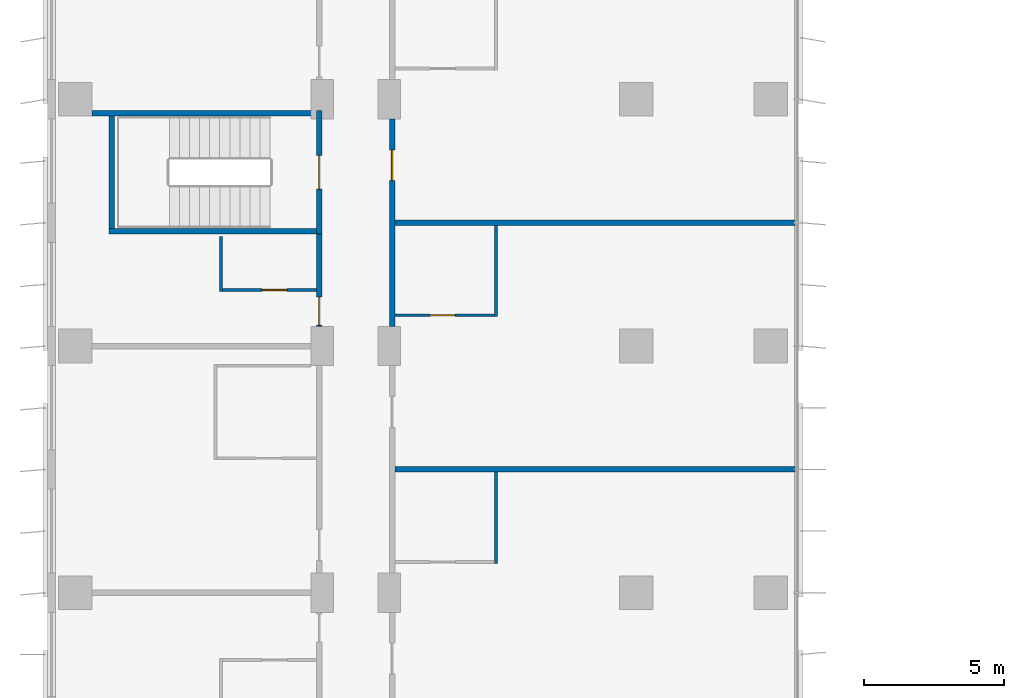
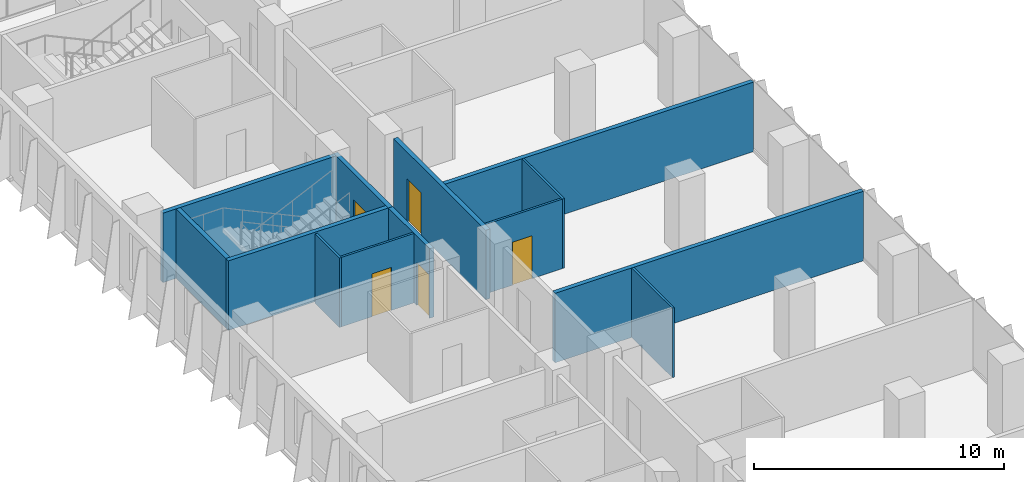
# One storey, part 19 of 27: 13 walls, 5 doors, 5 openings.
"""IFC4 building model written with IfcOpenShell, lengths in metres."""

from ifc_helpers import new_model, si_unit, direction, frame, frame_2d, origin, place, context, subcontext, project, spatial, rectangle, extrude, material, layer, layer_set, type_object, element, fill, save


model = new_model("IFC4")

# Units and contexts
model_context = context("Model", 3, precision=1e-05, world=origin(), true_north=direction((0.0, 1.0)))
body_context = subcontext(model_context, "Body", "Model", "MODEL_VIEW")
ifc_project = project(units=[si_unit("LENGTHUNIT", "METRE"), si_unit("AREAUNIT", "SQUARE_METRE"), si_unit("VOLUMEUNIT", "CUBIC_METRE"), si_unit("PLANEANGLEUNIT", "RADIAN"), si_unit("MASSUNIT", "GRAM", prefix="KILO")], contexts=[model_context])

# Site, building, storey
site_placement = place(None, origin())
site = spatial("IfcSite", under=ifc_project, at=site_placement, CompositionType="ELEMENT")
building_placement = place(site_placement, origin())
building = spatial("IfcBuilding", under=site, at=building_placement, Name="Kemantara Hotel Tower", CompositionType="ELEMENT")
storey_placement = place(building_placement, frame((0.0, 0.0, 83.39990234375)))
storey = spatial("IfcBuildingStorey", under=building, at=storey_placement, Name="L19", CompositionType="ELEMENT", Elevation=83.39990234375)

# Wall, opening, door
ifc_material_1 = material(Name="Gypsum board partition, steel studs and mineral wool, 200 mm", Category="steel")
ifc_layer_1 = layer(ifc_material_1, 0.199951171875)
ifc_layer_set_1 = layer_set([ifc_layer_1], Name="Gypsum board partition, steel studs and mineral wool, 200 mm")
wall_type_1 = type_object("IfcWallType", Name="CORRIDOR WALL 200", PredefinedType="PARTITIONING", material=ifc_layer_set_1)
wall_1_placement = place(storey_placement, frame((9.699951171875, 54.5, 0.0), z_axis=(0.0, 0.0, 1.0), x_axis=(0.0, 1.0, 0.0)))
wall_1 = element("IfcWall", 1, at=wall_1_placement, inside=storey, type_object=wall_type_1, Name="CORRIDOR WALL 200 020", PredefinedType="PARTITIONING", context=body_context, shape_type="SweptSolid", body=[
    extrude(rectangle(XDim=3.300048828125, YDim=0.199951171875, at=frame_2d((1.64990234375, 0.0))), origin(), (0.0, 0.0, 1.0), 3.400146484375),
])
opening_1_placement = place(wall_1_placement, frame((0.0498046875, 0.0, 0.0)))
opening_1 = element("IfcOpeningElement", 2, at=opening_1_placement, cuts=wall_1, Name="Opening F07-027", PredefinedType="OPENING", context=body_context, shape_type="SweptSolid", body=[
    extrude(rectangle(XDim=1.0, YDim=2.10009765625, at=frame_2d((0.5, 1.050048828125))), frame((0.0, 0.10986328125, 0.0), z_axis=(0.0, -1.0, 0.0), x_axis=(1.0, 0.0, 0.0)), (0.0, 0.0, 1.0), 0.219970703125),
])
ifc_material_2 = material(Name="Hardwood veneer door leaf with steel frame", Category="steel")
door_type_1 = type_object("IfcDoorType", Name="GUEST ROOM DOOR 1000 X 2100 FD30S", OperationType="NOTDEFINED", PredefinedType="DOOR", material=ifc_material_2)
door_1_placement = place(opening_1_placement, origin())
door_1 = element("IfcDoor", 3, at=door_1_placement, inside=storey, type_object=door_type_1, Name="GUEST ROOM DOOR F07-027", OperationType="SINGLE_SWING_LEFT", OverallHeight=2.10009765625, OverallWidth=1.0, PredefinedType="DOOR", context=body_context, shape_type="SweptSolid", body=[
    extrude(rectangle(XDim=1.0, YDim=2.10009765625, at=frame_2d((0.5, 1.050048828125))), frame((0.0, 0.02490234375, 0.0), z_axis=(0.0, -1.0, 0.0), x_axis=(1.0, 0.0, 0.0)), (0.0, 0.0, 1.0), 0.050048828125),
])
fill(opening_1, door_1)

wall_2_placement = place(storey_placement, frame((12.300048828125, 61.89990234375, 0.0), z_axis=(0.0, 0.0, 1.0), x_axis=(0.0, -1.0, 0.0)))
wall_2 = element("IfcWall", 4, at=wall_2_placement, inside=storey, type_object=wall_type_1, Name="CORRIDOR WALL 200 035", PredefinedType="PARTITIONING", context=body_context, shape_type="SweptSolid", body=[
    extrude(rectangle(XDim=7.39990234375, YDim=0.199951171875, at=frame_2d((3.699951171875, 0.0))), origin(), (0.0, 0.0, 1.0), 3.400146484375),
])
opening_2_placement = place(wall_2_placement, frame((1.099853515625, 0.0, 0.0)))
opening_2 = element("IfcOpeningElement", 5, at=opening_2_placement, cuts=wall_2, Name="Opening F07-041", PredefinedType="OPENING", context=body_context, shape_type="SweptSolid", body=[
    extrude(rectangle(XDim=1.10009765625, YDim=2.10009765625, at=frame_2d((0.550048828125, 1.050048828125))), frame((0.0, 0.10986328125, 0.0), z_axis=(0.0, -1.0, 0.0), x_axis=(1.0, 0.0, 0.0)), (0.0, 0.0, 1.0), 0.219970703125),
])
door_type_2 = type_object("IfcDoorType", Name="SUITE ENTRANCE DOOR 1100 X 2100 FD30S", OperationType="NOTDEFINED", PredefinedType="DOOR", material=ifc_material_2)
door_2_placement = place(opening_2_placement, origin())
door_2 = element("IfcDoor", 6, at=door_2_placement, inside=storey, type_object=door_type_2, Name="SUITE ENTRANCE DOOR F07-041", OperationType="SINGLE_SWING_RIGHT", OverallHeight=2.10009765625, OverallWidth=1.10009765625, PredefinedType="DOOR", context=body_context, shape_type="SweptSolid", body=[
    extrude(rectangle(XDim=1.10009765625, YDim=2.10009765625, at=frame_2d((0.550048828125, 1.050048828125))), frame((0.0, 0.02490234375, 0.0), z_axis=(0.0, -1.0, 0.0), x_axis=(1.0, 0.0, 0.0)), (0.0, 0.0, 1.0), 0.050048828125),
])
fill(opening_2, door_2)

ifc_material_3 = material(Name="Concrete fc 40 MPa", Category="concrete")
ifc_layer_2 = layer(ifc_material_3, 0.199951171875)
ifc_layer_set_2 = layer_set([ifc_layer_2], Name="Concrete fc 40 MPa")
wall_type_2 = type_object("IfcWallType", Name="Concrete stair wall 200 mm", PredefinedType="SHEAR", material=ifc_layer_set_2)
wall_3_placement = place(storey_placement, frame((9.699951171875, 57.800048828125, 0.0), z_axis=(0.0, 0.0, 1.0), x_axis=(0.0, 1.0, 0.0)))
wall_3 = element("IfcWall", 7, at=wall_3_placement, inside=storey, type_object=wall_type_2, Name="Stair ST4 enclosure wall with door", PredefinedType="SHEAR", context=body_context, shape_type="SweptSolid", body=[
    extrude(rectangle(XDim=4.39990234375, YDim=0.199951171875, at=frame_2d((2.199951171875, 0.0))), origin(), (0.0, 0.0, 1.0), 3.400146484375),
])
opening_3_placement = place(wall_3_placement, frame((1.60009765625, 0.0, 0.0)))
opening_3 = element("IfcOpeningElement", 8, at=opening_3_placement, cuts=wall_3, Name="Opening ST4-C", PredefinedType="OPENING", context=body_context, shape_type="SweptSolid", body=[
    extrude(rectangle(XDim=1.199951171875, YDim=2.10009765625, at=frame_2d((0.60009765625, 1.050048828125))), frame((0.0, 0.10986328125, 0.0), z_axis=(0.0, -1.0, 0.0), x_axis=(1.0, 0.0, 0.0)), (0.0, 0.0, 1.0), 0.219970703125),
])
ifc_material_4 = material(Name="Steel fire door", Category="steel")
door_type_3 = type_object("IfcDoorType", Name="Fire door FD90 1200 x 2100", OperationType="NOTDEFINED", PredefinedType="DOOR", material=ifc_material_4)
door_3_placement = place(opening_3_placement, origin())
door_3 = element("IfcDoor", 9, at=door_3_placement, inside=storey, type_object=door_type_3, Name="Stair ST4 door", OperationType="SINGLE_SWING_RIGHT", OverallHeight=2.10009765625, OverallWidth=1.199951171875, PredefinedType="DOOR", context=body_context, shape_type="SweptSolid", body=[
    extrude(rectangle(XDim=1.199951171875, YDim=2.10009765625, at=frame_2d((0.60009765625, 1.050048828125))), frame((0.0, 0.02490234375, 0.0), z_axis=(0.0, -1.0, 0.0), x_axis=(1.0, 0.0, 0.0)), (0.0, 0.0, 1.0), 0.050048828125),
])
fill(opening_3, door_3)

# Walls
wall_4_placement = place(storey_placement, frame((1.60009765625, 62.10009765625, 0.0), z_axis=(0.0, 0.0, 1.0), x_axis=(1.0, 0.0, 0.0)))
element("IfcWall", 10, at=wall_4_placement, inside=storey, type_object=wall_type_2, Name="Stair ST4 enclosure wall N", PredefinedType="SHEAR", context=body_context, shape_type="SweptSolid", body=[
    extrude(rectangle(XDim=8.0, YDim=0.199951171875, at=frame_2d((4.0, 0.0))), origin(), (0.0, 0.0, 1.0), 3.400146484375),
])
wall_5_placement = place(storey_placement, frame((2.199951171875, 57.89990234375, 0.0), z_axis=(0.0, 0.0, 1.0), x_axis=(1.0, 0.0, 0.0)))
element("IfcWall", 11, at=wall_5_placement, inside=storey, type_object=wall_type_2, Name="Stair ST4 enclosure wall S", PredefinedType="SHEAR", context=body_context, shape_type="SweptSolid", body=[
    extrude(rectangle(XDim=7.400146484375, YDim=0.199951171875, at=frame_2d((3.7001953125, 0.0))), origin(), (0.0, 0.0, 1.0), 3.400146484375),
])
wall_6_placement = place(storey_placement, frame((2.300048828125, 58.0, 0.0), z_axis=(0.0, 0.0, 1.0), x_axis=(0.0, 1.0, 0.0)))
element("IfcWall", 12, at=wall_6_placement, inside=storey, type_object=wall_type_2, Name="Stair ST4 enclosure wall W", PredefinedType="SHEAR", context=body_context, shape_type="SweptSolid", body=[
    extrude(rectangle(XDim=4.0, YDim=0.199951171875, at=frame_2d((2.0, 0.0))), origin(), (0.0, 0.0, 1.0), 3.400146484375),
])
ifc_layer_3 = layer(ifc_material_1, 0.199951171875)
ifc_layer_set_3 = layer_set([ifc_layer_3], Name="Gypsum board partition, steel studs and mineral wool, 200 mm")
wall_type_3 = type_object("IfcWallType", Name="GUEST ROOM PARTY WALL 200", PredefinedType="PARTITIONING", material=ifc_layer_set_3)
for number, where, z_axis, x_axis, name in (
    (13, (12.39990234375, 49.39990234375, 0.0), (0.0, 0.0, 1.0), (1.0, 0.0, 0.0), "GUEST ROOM PARTY WALL 200 040"),
    (14, (12.39990234375, 58.199951171875, 0.0), (0.0, 0.0, 1.0), (1.0, 0.0, 0.0), "GUEST ROOM PARTY WALL 200 041"),
):
    element("IfcWall", number, at=place(storey_placement, frame(where, z_axis=z_axis, x_axis=x_axis)), inside=storey, type_object=wall_type_3, Name=name, PredefinedType="PARTITIONING", context=body_context, shape_type="SweptSolid", body=[
        extrude(rectangle(XDim=14.27001953125, YDim=0.199951171875, at=frame_2d((7.135009765625, 0.0))), origin(), (0.0, 0.0, 1.0), 3.400146484375),
    ])
ifc_material_5 = material(Name="Gypsum board partition on steel studs, 100 mm", Category="steel")
ifc_layer_4 = layer(ifc_material_5, 0.10009765625)
ifc_layer_set_4 = layer_set([ifc_layer_4], Name="Gypsum board partition on steel studs, 100 mm")
wall_type_4 = type_object("IfcWallType", Name="ROOM PARTITION 100", PredefinedType="PARTITIONING", material=ifc_layer_set_4)
wall_7_placement = place(storey_placement, frame((6.199951171875, 55.75, 0.0), z_axis=(0.0, 0.0, 1.0), x_axis=(0.0, 1.0, 0.0)))
element("IfcWall", 15, at=wall_7_placement, inside=storey, type_object=wall_type_4, Name="ROOM PARTITION 100 067", PredefinedType="PARTITIONING", context=body_context, shape_type="SweptSolid", body=[
    extrude(rectangle(XDim=1.949951171875, YDim=0.10009765625, at=frame_2d((0.97509765625, 0.0))), origin(), (0.0, 0.0, 1.0), 3.400146484375),
])

# Wall, opening, door
wall_8_placement = place(storey_placement, frame((6.25, 55.800048828125, 0.0), z_axis=(0.0, 0.0, 1.0), x_axis=(1.0, 0.0, 0.0)))
wall_8 = element("IfcWall", 16, at=wall_8_placement, inside=storey, type_object=wall_type_4, Name="ROOM PARTITION 100 079", PredefinedType="PARTITIONING", context=body_context, shape_type="SweptSolid", body=[
    extrude(rectangle(XDim=3.35009765625, YDim=0.10009765625, at=frame_2d((1.675048828125, 0.0))), origin(), (0.0, 0.0, 1.0), 3.400146484375),
])
opening_4_placement = place(wall_8_placement, frame((1.39990234375, 0.0, 0.0)))
opening_4 = element("IfcOpeningElement", 17, at=opening_4_placement, cuts=wall_8, Name="Opening F07-028", PredefinedType="OPENING", context=body_context, shape_type="SweptSolid", body=[
    extrude(rectangle(XDim=0.89990234375, YDim=2.10009765625, at=frame_2d((0.449951171875, 1.050048828125))), frame((0.0, 0.06005859375, 0.0), z_axis=(0.0, -1.0, 0.0), x_axis=(1.0, 0.0, 0.0)), (0.0, 0.0, 1.0), 0.1201171875),
])
door_type_4 = type_object("IfcDoorType", Name="BATHROOM DOOR 900 X 2100", OperationType="NOTDEFINED", PredefinedType="DOOR", material=ifc_material_2)
door_4_placement = place(opening_4_placement, origin())
door_4 = element("IfcDoor", 18, at=door_4_placement, inside=storey, type_object=door_type_4, Name="BATHROOM DOOR F07-028", OperationType="SINGLE_SWING_RIGHT", OverallHeight=2.10009765625, OverallWidth=0.89990234375, PredefinedType="DOOR", context=body_context, shape_type="SweptSolid", body=[
    extrude(rectangle(XDim=0.89990234375, YDim=2.10009765625, at=frame_2d((0.449951171875, 1.050048828125))), frame((0.0, 0.02490234375, 0.0), z_axis=(0.0, -1.0, 0.0), x_axis=(1.0, 0.0, 0.0)), (0.0, 0.0, 1.0), 0.050048828125),
])
fill(opening_4, door_4)

# Walls
for number, where, z_axis, x_axis, name in (
    (19, (16.0, 46.050048828125, 0.0), (0.0, 0.0, 1.0), (0.0, 1.0, 0.0), "ROOM PARTITION 100 085"),
    (20, (16.0, 54.85009765625, 0.0), (0.0, 0.0, 1.0), (0.0, 1.0, 0.0), "ROOM PARTITION 100 086"),
):
    element("IfcWall", number, at=place(storey_placement, frame(where, z_axis=z_axis, x_axis=x_axis)), inside=storey, type_object=wall_type_4, Name=name, PredefinedType="PARTITIONING", context=body_context, shape_type="SweptSolid", body=[
        extrude(rectangle(XDim=3.25, YDim=0.10009765625, at=frame_2d((1.625, 0.0))), origin(), (0.0, 0.0, 1.0), 3.400146484375),
    ])

# Wall, opening, door
wall_9_placement = place(storey_placement, frame((12.39990234375, 54.89990234375, 0.0), z_axis=(0.0, 0.0, 1.0), x_axis=(1.0, 0.0, 0.0)))
wall_9 = element("IfcWall", 21, at=wall_9_placement, inside=storey, type_object=wall_type_4, Name="ROOM PARTITION 100 089", PredefinedType="PARTITIONING", context=body_context, shape_type="SweptSolid", body=[
    extrude(rectangle(XDim=3.550048828125, YDim=0.10009765625, at=frame_2d((1.77490234375, 0.0))), origin(), (0.0, 0.0, 1.0), 3.400146484375),
])
opening_5_placement = place(wall_9_placement, frame((1.25, 0.0, 0.0)))
opening_5 = element("IfcOpeningElement", 22, at=opening_5_placement, cuts=wall_9, Name="Opening F07-040", PredefinedType="OPENING", context=body_context, shape_type="SweptSolid", body=[
    extrude(rectangle(XDim=0.89990234375, YDim=2.10009765625, at=frame_2d((0.449951171875, 1.050048828125))), frame((0.0, 0.06005859375, 0.0), z_axis=(0.0, -1.0, 0.0), x_axis=(1.0, 0.0, 0.0)), (0.0, 0.0, 1.0), 0.1201171875),
])
door_5_placement = place(opening_5_placement, origin())
door_5 = element("IfcDoor", 23, at=door_5_placement, inside=storey, type_object=door_type_4, Name="BATHROOM DOOR F07-040", OperationType="SINGLE_SWING_LEFT", OverallHeight=2.10009765625, OverallWidth=0.89990234375, PredefinedType="DOOR", context=body_context, shape_type="SweptSolid", body=[
    extrude(rectangle(XDim=0.89990234375, YDim=2.10009765625, at=frame_2d((0.449951171875, 1.050048828125))), frame((0.0, 0.02490234375, 0.0), z_axis=(0.0, -1.0, 0.0), x_axis=(1.0, 0.0, 0.0)), (0.0, 0.0, 1.0), 0.050048828125),
])
fill(opening_5, door_5)

save(model, "model.ifc")
